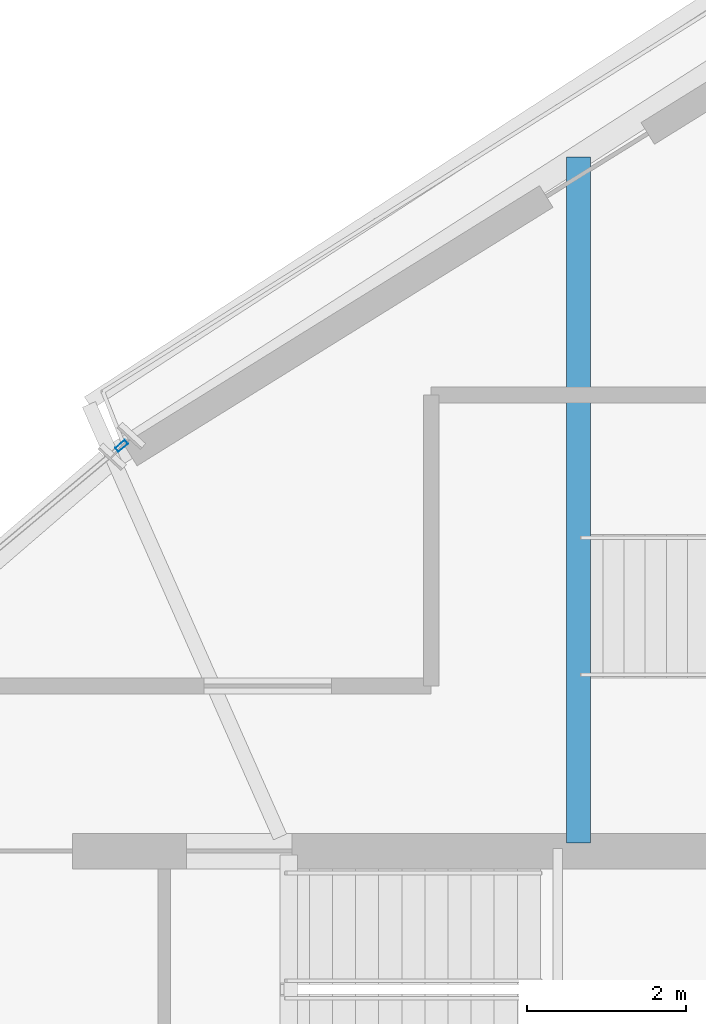
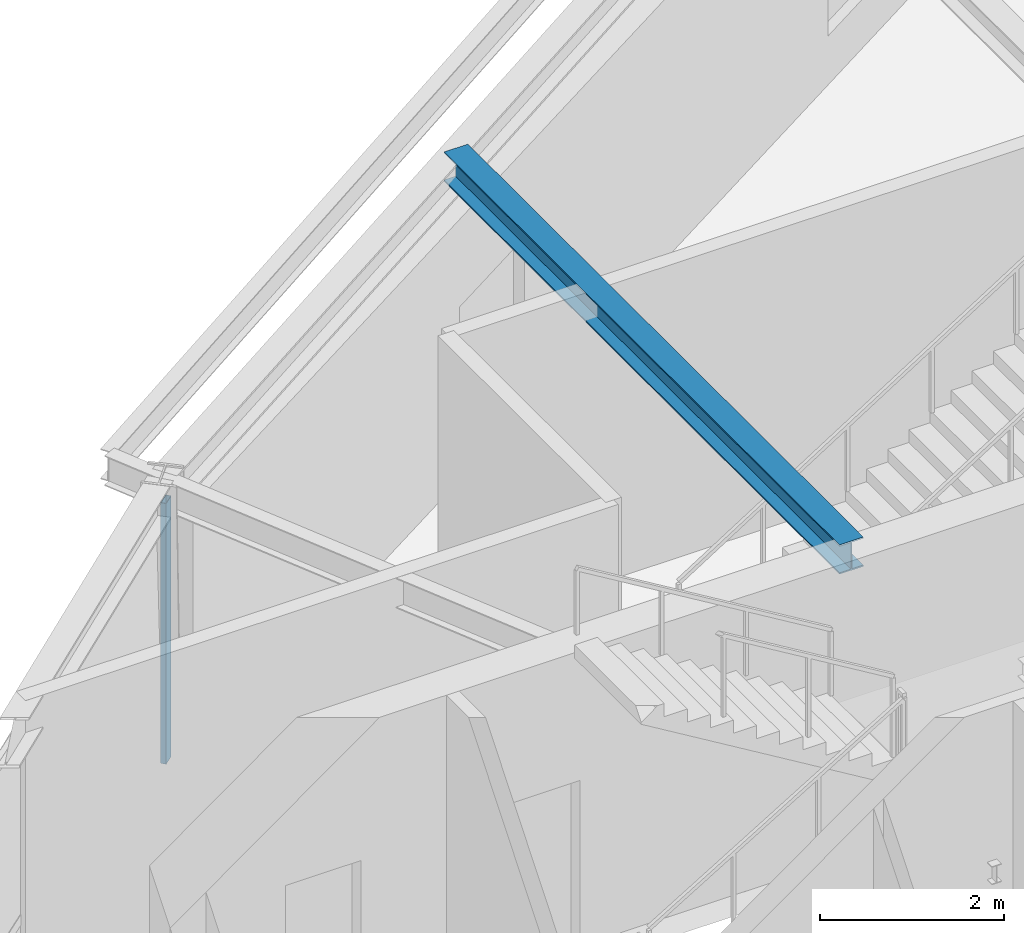
# One storey, part 10 of 21: 1 beam, 1 member, 1 element without a shape of its own.
"""IFC4 building model written with IfcOpenShell, lengths in metres."""

from ifc_helpers import new_model, si_unit, direction, frame, origin, origin_2d, place, context, subcontext, project, spatial, hollow_rectangle, i_section, extrude, source, transform, mapped, material, material_profile, profile_set, type_object, element, aggregate, save


model = new_model("IFC4")

# Units and contexts
model_context = context("Model", 3, precision=1e-05, world=origin(), true_north=direction((0.0, 1.0)))
body_context = subcontext(model_context, "Body", "Model", "MODEL_VIEW")
ifc_project = project(units=[si_unit("LENGTHUNIT", "METRE"), si_unit("AREAUNIT", "SQUARE_METRE"), si_unit("VOLUMEUNIT", "CUBIC_METRE"), si_unit("PLANEANGLEUNIT", "RADIAN"), si_unit("MASSUNIT", "GRAM", prefix="KILO")], contexts=[model_context])

# Site, building, storey
site_placement = place(None, origin())
site = spatial("IfcSite", under=ifc_project, at=site_placement, CompositionType="ELEMENT")
building_placement = place(site_placement, origin())
building = spatial("IfcBuilding", under=site, at=building_placement, Name="Olszyna Solenne Hotel", CompositionType="ELEMENT")
storey_placement = place(building_placement, frame((0.0, 0.0, 277.699951171875)))
storey = spatial("IfcBuildingStorey", under=building, at=storey_placement, Name="L74", CompositionType="ELEMENT", Elevation=277.699951171875)

# Beam
ifc_material_1 = material(Name="Steel S355J2", Category="steel")
ifc_material_profile_1 = material_profile(ifc_material_1, i_section(OverallWidth=0.300048828125, OverallDepth=0.389892578125, WebThickness=0.010986328125, FlangeThickness=0.01904296875, at=origin_2d()), Name="HEA 400", Category="load-bearing")
ifc_profile_set_1 = profile_set([ifc_material_profile_1], Name="Steel S355J2")
beam_type = type_object("IfcBeamType", Name="BM-G2", PredefinedType="BEAM", material=ifc_profile_set_1)
shared_shape_1 = source(origin(), body_context, "Body", "SweptSolid", [
    extrude(i_section(OverallWidth=0.300048828125, OverallDepth=0.389892578125, WebThickness=0.010986328125, FlangeThickness=0.01904296875, at=origin_2d()), origin(), (0.0, 0.0, 1.0), 8.6064453125),
])
beam_placement = place(storey_placement, frame((38.39990234375, 34.030029296875, 3.72509765625), z_axis=(0.0, 1.0, 0.0), x_axis=(-1.0, 0.0, 0.0)))
element("IfcBeam", 1, at=beam_placement, inside=storey, type_object=beam_type, Name="Feature stair West trimmer girder BM-G2 B-L74-2188", PredefinedType="BEAM", context=body_context, shape_type="MappedRepresentation", body=[
    mapped(shared_shape_1, transform((0.0, 0.0, 0.0), x_axis=(1.0, 0.0, 0.0), y_axis=(0.0, 1.0, 0.0), z_axis=(0.0, 0.0, 1.0), scale=1.0)),
])

# Curtain wall, member
ifc_material_2 = material(Name="Anodised bronze aluminium", Category="aluminium")
curtain_wall_type = type_object("IfcCurtainWallType", Name="CW-SYS-7", PredefinedType="NOTDEFINED", material=ifc_material_2)
curtain_wall_placement = place(storey_placement, origin())
curtain_wall = element("IfcCurtainWall", 2, at=curtain_wall_placement, inside=storey, type_object=curtain_wall_type, Name="Unitised curtain wall CW-SYS-7 CW-L74-02", PredefinedType="NOTDEFINED")
ifc_material_profile_2 = material_profile(ifc_material_2, hollow_rectangle(XDim=0.06494140625, YDim=0.159912109375, WallThickness=0.00390625, at=origin_2d()), Name="MULL 160x65x4", Category="load-bearing")
ifc_profile_set_2 = profile_set([ifc_material_profile_2], Name="Anodised bronze aluminium")
member_type = type_object("IfcMemberType", Name="CW-M3", PredefinedType="MULLION", material=ifc_profile_set_2)
shared_shape_2 = source(origin(), body_context, "Body", "SweptSolid", [
    extrude(hollow_rectangle(XDim=0.06494140625, YDim=0.159912109375, WallThickness=0.00390625, at=origin_2d()), origin(), (0.0, 0.0, 1.0), 3.462158203125),
])
member_placement = place(storey_placement, frame((32.664306640625, 39.0126953125, 0.0), z_axis=(0.0, 0.0, 1.0), x_axis=(-0.640714645601, 0.76777909773, 0.0)))
member = element("IfcMember", 3, at=member_placement, type_object=member_type, Name="Curtain-wall mullion CW-M3 CM-L74-02-04", PredefinedType="MULLION", context=body_context, shape_type="MappedRepresentation", body=[
    mapped(shared_shape_2, transform((0.0, 0.0, 0.0), x_axis=(1.0, 0.0, 0.0), y_axis=(0.0, 1.0, 0.0), z_axis=(0.0, 0.0, 1.0), scale=1.0)),
])
aggregate(curtain_wall, [member])

save(model, "model.ifc")
